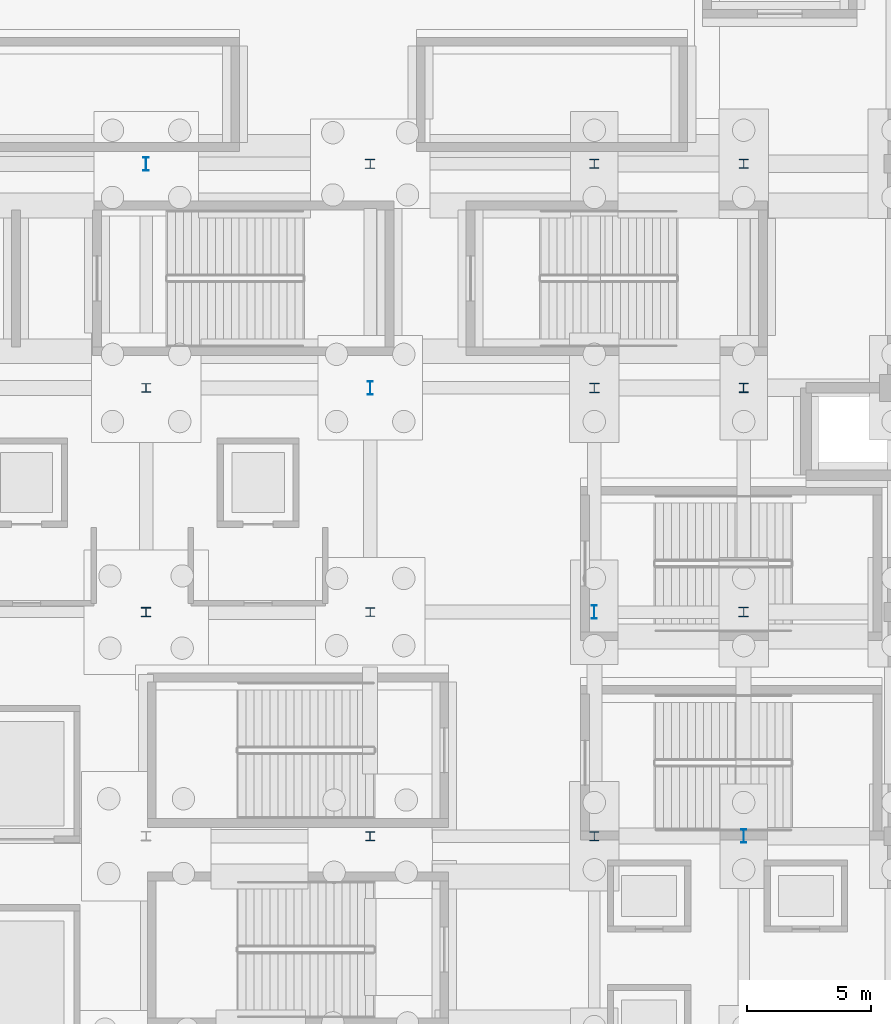
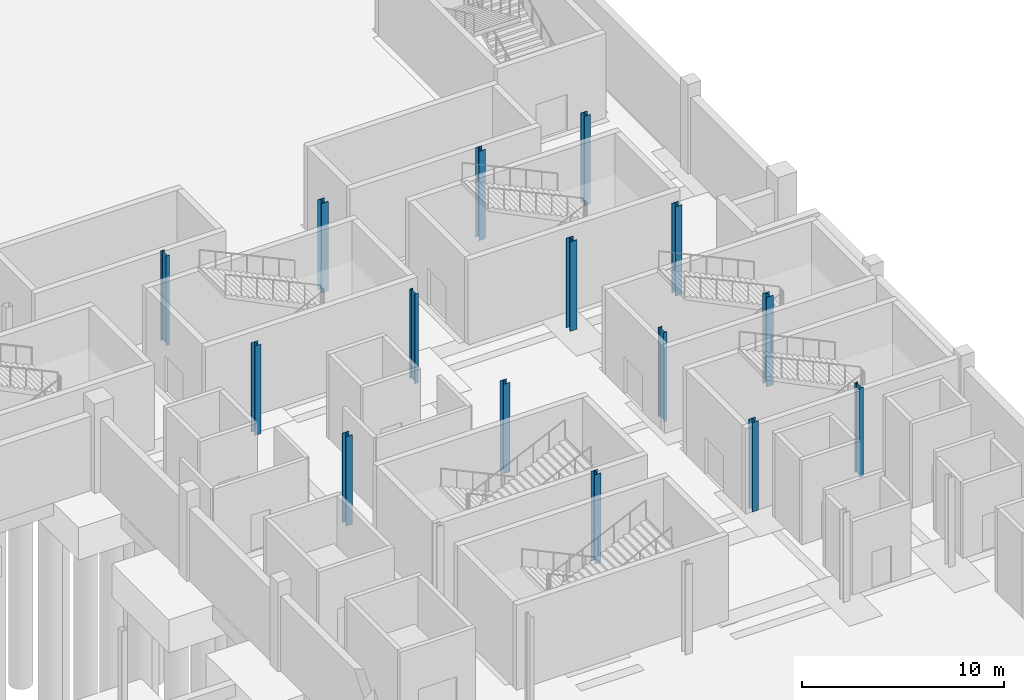
# One storey, part 32 of 58: 15 columns.
"""IFC4 building model written with IfcOpenShell, lengths in metres."""

from ifc_helpers import new_model, si_unit, direction, frame, origin, origin_2d, place, context, subcontext, project, spatial, i_section, extrude, material, material_profile, profile_set, type_object, element, save


model = new_model("IFC4")

# Units and contexts
model_context = context("Model", 3, precision=1e-05, world=origin(), true_north=direction((0.0, 1.0)))
body_context = subcontext(model_context, "Body", "Model", "MODEL_VIEW")
ifc_project = project(units=[si_unit("LENGTHUNIT", "METRE"), si_unit("AREAUNIT", "SQUARE_METRE"), si_unit("VOLUMEUNIT", "CUBIC_METRE"), si_unit("PLANEANGLEUNIT", "RADIAN"), si_unit("MASSUNIT", "GRAM", prefix="KILO")], contexts=[model_context])

# Site, building, storey
site_placement = place(None, origin())
site = spatial("IfcSite", under=ifc_project, at=site_placement, CompositionType="ELEMENT")
building_placement = place(site_placement, origin())
building = spatial("IfcBuilding", under=site, at=building_placement, Name="Qamarlyn Nura Convention Centre", CompositionType="ELEMENT")
storey_placement = place(building_placement, frame((0.0, 0.0, -5.39990234375)))
storey = spatial("IfcBuildingStorey", under=building, at=storey_placement, Name="B01", CompositionType="ELEMENT", Elevation=-5.39990234375)

# Columns
ifc_material = material(Name="Steel ASTM A992", Category="steel")
ifc_material_profile_1 = material_profile(ifc_material, i_section(OverallWidth=0.39892578125, OverallDepth=0.39306640625, WebThickness=0.022705078125, FlangeThickness=0.03662109375, FilletRadius=0.01806640625, at=origin_2d()), Name="W360X287")
ifc_profile_set_1 = profile_set([ifc_material_profile_1], Name="Steel ASTM A992")
column_type_1 = type_object("IfcColumnType", Name="COL-WING-1", PredefinedType="COLUMN", material=ifc_profile_set_1)
for number, where, z_axis, x_axis, name in (
    (1, (171.0, 90.0, 0.0), (0.0, 0.0, 1.0), (1.0, 0.0, 0.0), "B01 column 15/L"),
    (2, (180.0, 81.0, 0.0), (0.0, 0.0, 1.0), (1.0, 0.0, 0.0), "B01 column 16/K"),
    (3, (186.0, 72.0, 0.0), (0.0, 0.0, 1.0), (1.0, 0.0, 0.0), "B01 column 17/J"),
):
    element("IfcColumn", number, at=place(storey_placement, frame(where, z_axis=z_axis, x_axis=x_axis)), inside=storey, type_object=column_type_1, Name=name, PredefinedType="COLUMN", context=body_context, shape_type="SweptSolid", body=[
        extrude(i_section(OverallWidth=0.39892578125, OverallDepth=0.39306640625, WebThickness=0.022705078125, FlangeThickness=0.03662109375, FilletRadius=0.01806640625, at=origin_2d()), origin(), (0.0, 0.0, 1.0), 5.39990234375),
    ])
ifc_material_profile_2 = material_profile(ifc_material, i_section(OverallWidth=0.3740234375, OverallDepth=0.3720703125, WebThickness=0.016357421875, FlangeThickness=0.026123046875, FilletRadius=0.01611328125, at=origin_2d()), Name="W360X196")
ifc_profile_set_2 = profile_set([ifc_material_profile_2], Name="Steel ASTM A992")
column_type_2 = type_object("IfcColumnType", Name="COL-WING-2", PredefinedType="COLUMN", material=ifc_profile_set_2)
for number, where, z_axis, x_axis, name in (
    (4, (162.0, 72.0, 0.0), (0.0, 0.0, 1.0), (1.0, 0.0, 0.0), "B01 column 14/J"),
    (5, (171.0, 63.0, 0.0), (0.0, 0.0, 1.0), (1.0, 0.0, 0.0), "B01 column 15/H"),
    (6, (180.0, 90.0, 0.0), (0.0, 0.0, 1.0), (1.0, 0.0, 0.0), "B01 column 16/L"),
    (7, (186.0, 81.0, 0.0), (0.0, 0.0, 1.0), (1.0, 0.0, 0.0), "B01 column 17/K"),
):
    element("IfcColumn", number, at=place(storey_placement, frame(where, z_axis=z_axis, x_axis=x_axis)), inside=storey, type_object=column_type_2, Name=name, PredefinedType="COLUMN", context=body_context, shape_type="SweptSolid", body=[
        extrude(i_section(OverallWidth=0.3740234375, OverallDepth=0.3720703125, WebThickness=0.016357421875, FlangeThickness=0.026123046875, FilletRadius=0.01611328125, at=origin_2d()), origin(), (0.0, 0.0, 1.0), 5.39990234375),
    ])
ifc_material_profile_3 = material_profile(ifc_material, i_section(OverallWidth=0.368896484375, OverallDepth=0.35595703125, WebThickness=0.01123046875, FlangeThickness=0.01806640625, FilletRadius=0.014892578125, at=origin_2d()), Name="W360X134")
ifc_profile_set_3 = profile_set([ifc_material_profile_3], Name="Steel ASTM A992")
column_type_3 = type_object("IfcColumnType", Name="COL-WING-3", PredefinedType="COLUMN", material=ifc_profile_set_3)
for number, where, z_axis, x_axis, name in (
    (8, (162.0, 81.0, 0.0), (0.0, 0.0, 1.0), (1.0, 0.0, 0.0), "B01 column 14/K"),
    (9, (171.0, 72.0, 0.0), (0.0, 0.0, 1.0), (1.0, 0.0, 0.0), "B01 column 15/J"),
    (10, (180.0, 63.0, 0.0), (0.0, 0.0, 1.0), (1.0, 0.0, 0.0), "B01 column 16/H"),
    (11, (186.0, 90.0, 0.0), (0.0, 0.0, 1.0), (1.0, 0.0, 0.0), "B01 column 17/L"),
):
    element("IfcColumn", number, at=place(storey_placement, frame(where, z_axis=z_axis, x_axis=x_axis)), inside=storey, type_object=column_type_3, Name=name, PredefinedType="COLUMN", context=body_context, shape_type="SweptSolid", body=[
        extrude(i_section(OverallWidth=0.368896484375, OverallDepth=0.35595703125, WebThickness=0.01123046875, FlangeThickness=0.01806640625, FilletRadius=0.014892578125, at=origin_2d()), origin(), (0.0, 0.0, 1.0), 5.39990234375),
    ])
ifc_material_profile_4 = material_profile(ifc_material, i_section(OverallWidth=0.2109375, OverallDepth=0.5390625, WebThickness=0.01171875, FlangeThickness=0.018798828125, FilletRadius=0.013916015625, at=origin_2d()), Name="W530X109")
ifc_profile_set_4 = profile_set([ifc_material_profile_4], Name="Steel ASTM A992")
column_type_4 = type_object("IfcColumnType", Name="COL-WING-7", PredefinedType="COLUMN", material=ifc_profile_set_4)
for number, where, z_axis, x_axis, name in (
    (12, (162.0, 90.0, 0.0), (0.0, 0.0, 1.0), (1.0, 0.0, 0.0), "B01 column 14/L"),
    (13, (171.0, 81.0, 0.0), (0.0, 0.0, 1.0), (1.0, 0.0, 0.0), "B01 column 15/K"),
    (14, (180.0, 72.0, 0.0), (0.0, 0.0, 1.0), (1.0, 0.0, 0.0), "B01 column 16/J"),
    (15, (186.0, 63.0, 0.0), (0.0, 0.0, 1.0), (1.0, 0.0, 0.0), "B01 column 17/H"),
):
    element("IfcColumn", number, at=place(storey_placement, frame(where, z_axis=z_axis, x_axis=x_axis)), inside=storey, type_object=column_type_4, Name=name, PredefinedType="COLUMN", context=body_context, shape_type="SweptSolid", body=[
        extrude(i_section(OverallWidth=0.2109375, OverallDepth=0.5390625, WebThickness=0.01171875, FlangeThickness=0.018798828125, FilletRadius=0.013916015625, at=origin_2d()), origin(), (0.0, 0.0, 1.0), 5.39990234375),
    ])

save(model, "model.ifc")
